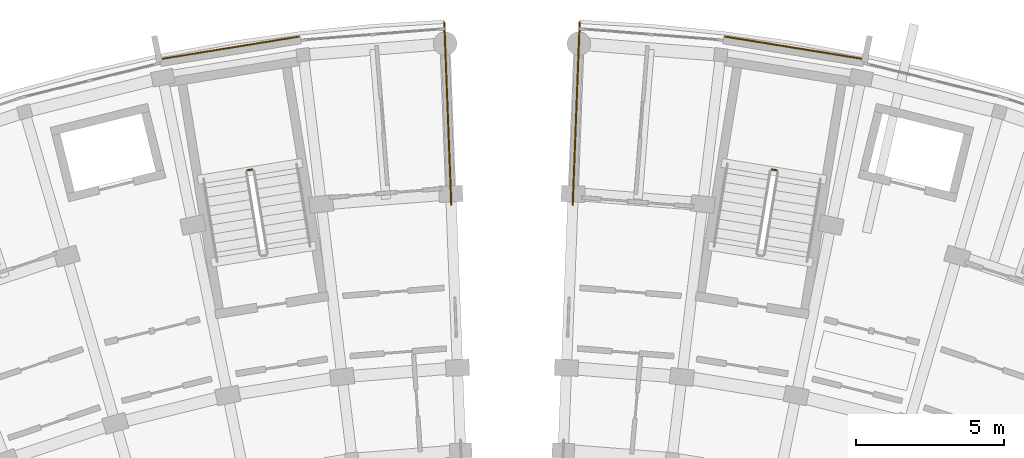
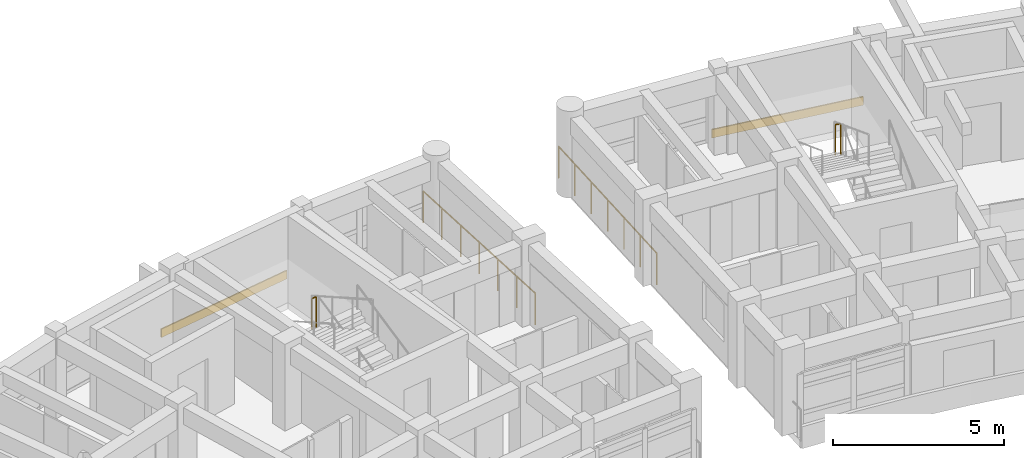
# One storey, part 46 of 56: 4 railings, 2 coverings.
"""IFC4 building model written with IfcOpenShell, lengths in metres."""

from ifc_helpers import new_model, si_unit, direction, frame, origin, origin_2d, place, context, subcontext, project, spatial, rectangle, circle, extrude, material, layer, layer_set, type_object, element, save


model = new_model("IFC4")

# Units and contexts
model_context = context("Model", 3, precision=1e-05, world=origin(), true_north=direction((0.0, 1.0)))
body_context = subcontext(model_context, "Body", "Model", "MODEL_VIEW")
ifc_project = project(units=[si_unit("LENGTHUNIT", "METRE"), si_unit("AREAUNIT", "SQUARE_METRE"), si_unit("VOLUMEUNIT", "CUBIC_METRE"), si_unit("PLANEANGLEUNIT", "RADIAN"), si_unit("MASSUNIT", "GRAM", prefix="KILO")], contexts=[model_context])

# Site, building, storey
site_placement = place(None, origin())
site = spatial("IfcSite", under=ifc_project, at=site_placement, CompositionType="ELEMENT")
building_placement = place(site_placement, origin())
building = spatial("IfcBuilding", under=site, at=building_placement, Name="Zimvara Arc Housing Community", CompositionType="ELEMENT")
storey_placement = place(building_placement, frame((0.0, 0.0, 17.39990234375)))
storey = spatial("IfcBuildingStorey", under=building, at=storey_placement, Name="L05", CompositionType="ELEMENT", Elevation=17.39990234375)

# Coverings
ifc_material_1 = material(Name="Pale-Gold Anodised Aluminium Cladding", Category="aluminium")
ifc_layer_1 = layer(ifc_material_1, 0.0400390625)
ifc_layer_set_1 = layer_set([ifc_layer_1], Name="Pale-Gold Anodised Aluminium Cladding")
covering_type_1 = type_object("IfcCoveringType", Name="CLD-GOLD-01", PredefinedType="CLADDING", material=ifc_layer_set_1)
covering_1_placement = place(storey_placement, frame((35.472412109375, 103.1953125, 0.01025390625), z_axis=(0.0, 0.0, 1.0), x_axis=(0.987080395872, 0.160225753504, 0.0)))
element("IfcCovering", 1, at=covering_1_placement, inside=storey, type_object=covering_type_1, Name="cld:blkA:L05:out:b8", PredefinedType="CLADDING", context=body_context, shape_type="SweptSolid", body=[
    extrude(rectangle(XDim=4.748779296875, YDim=0.0400390625, at=origin_2d()), origin(), (0.0, 0.0, 1.0), 0.300048828125),
])
ifc_material_2 = material(Name="Pale-Gold Anodised Aluminium Cladding", Category="aluminium")
ifc_layer_2 = layer(ifc_material_2, 0.044921875)
ifc_layer_set_2 = layer_set([ifc_layer_2], Name="Pale-Gold Anodised Aluminium Cladding")
covering_type_2 = type_object("IfcCoveringType", Name="CLD-GOLD-02", PredefinedType="CLADDING", material=ifc_layer_set_2)
covering_2_placement = place(storey_placement, frame((54.528076171875, 103.19775390625, 0.01025390625), z_axis=(0.0, 0.0, 1.0), x_axis=(0.987080395872, -0.160225753504, 0.0)))
element("IfcCovering", 2, at=covering_2_placement, inside=storey, type_object=covering_type_2, Name="cld:blkB:L05:out:b1", PredefinedType="CLADDING", context=body_context, shape_type="SweptSolid", body=[
    extrude(rectangle(XDim=4.748779296875, YDim=0.044921875, at=origin_2d()), origin(), (0.0, 0.0, 1.0), 0.300048828125),
])

# Railings
ifc_material_3 = material(Name="Anodised Aluminium AW-6063", Category="aluminium")
railing_type_1 = type_object("IfcRailingType", Name="RLG-BAL-1120", PredefinedType="BALUSTRADE", material=ifc_material_3)
railing_1_placement = place(storey_placement, frame((36.220947265625, 99.08349609375, 1.550048828125)))
element("IfcRailing", 3, at=railing_1_placement, inside=storey, type_object=railing_type_1, Name="L05 ST-A2 stair guard 2", PredefinedType="BALUSTRADE", context=body_context, shape_type="SweptSolid", body=[
    extrude(circle(Radius=0.02392578125, at=origin_2d()), frame((0.0, 0.0, 1.09619140625), z_axis=(-0.987085924886, -0.160191687964, 0.0), x_axis=(0.160191687964, -0.987085924886, 0.0)), (0.0, 0.0, 1.0), 0.159912109375),
    extrude(circle(Radius=0.02099609375, at=origin_2d()), origin(), (0.0, 0.0, 1.0), 1.072021484375),
    extrude(circle(Radius=0.02099609375, at=origin_2d()), frame((-0.157958984375, -0.025634765625, 0.0)), (0.0, 0.0, 1.0), 1.072021484375),
])
railing_2_placement = place(storey_placement, frame((53.93701171875, 99.057861328125, 1.550048828125)))
element("IfcRailing", 4, at=railing_2_placement, inside=storey, type_object=railing_type_1, Name="L05 ST-B1 stair guard 2", PredefinedType="BALUSTRADE", context=body_context, shape_type="SweptSolid", body=[
    extrude(circle(Radius=0.02392578125, at=origin_2d()), frame((0.0, 0.0, 1.09619140625), z_axis=(-0.987085924886, 0.160191687964, 0.0), x_axis=(-0.160191687964, -0.987085924886, 0.0)), (0.0, 0.0, 1.0), 0.159912109375),
    extrude(circle(Radius=0.02099609375, at=origin_2d()), origin(), (0.0, 0.0, 1.0), 1.072021484375),
    extrude(circle(Radius=0.02099609375, at=origin_2d()), frame((-0.157958984375, 0.025634765625, 0.0)), (0.0, 0.0, 1.0), 1.072021484375),
])
ifc_material_4 = material(Name="Anodised Aluminium AW-6063", Category="aluminium")
railing_type_2 = type_object("IfcRailingType", Name="RLG-BAL-1150", PredefinedType="BALUSTRADE", material=ifc_material_4)
railing_3_placement = place(storey_placement, frame((42.948486328125, 97.900634765625, 0.0)))
element("IfcRailing", 5, at=railing_3_placement, inside=storey, type_object=railing_type_2, Name="rlg:blkA:L05:gable_out:gN", PredefinedType="BALUSTRADE", context=body_context, shape_type="SweptSolid", body=[
    extrude(circle(Radius=0.02392578125, at=origin_2d()), frame((0.0, 0.0, 1.1259765625), z_axis=(-0.038364627964, 0.99926380667, 0.0), x_axis=(-0.99926380667, -0.038364627964, 0.0)), (0.0, 0.0, 1.0), 6.16015625),
    extrude(circle(Radius=0.02099609375, at=origin_2d()), origin(), (0.0, 0.0, 1.0), 1.101806640625),
    extrude(circle(Radius=0.02099609375, at=origin_2d()), frame((-0.039306640625, 1.02587890625, 0.0)), (0.0, 0.0, 1.0), 1.101806640625),
    extrude(circle(Radius=0.02099609375, at=origin_2d()), frame((-0.078857421875, 2.0517578125, 0.0)), (0.0, 0.0, 1.0), 1.101806640625),
    extrude(circle(Radius=0.02099609375, at=origin_2d()), frame((-0.1181640625, 3.07763671875, 0.0)), (0.0, 0.0, 1.0), 1.101806640625),
    extrude(circle(Radius=0.02099609375, at=origin_2d()), frame((-0.157470703125, 4.103759765625, 0.0)), (0.0, 0.0, 1.0), 1.101806640625),
    extrude(circle(Radius=0.02099609375, at=origin_2d()), frame((-0.197021484375, 5.129638671875, 0.0)), (0.0, 0.0, 1.0), 1.101806640625),
    extrude(circle(Radius=0.02099609375, at=origin_2d()), frame((-0.236328125, 6.155517578125, 0.0)), (0.0, 0.0, 1.0), 1.101806640625),
])
railing_4_placement = place(storey_placement, frame((47.051513671875, 97.900634765625, 0.0)))
element("IfcRailing", 6, at=railing_4_placement, inside=storey, type_object=railing_type_2, Name="rlg:blkB:L05:gable_out:g0", PredefinedType="BALUSTRADE", context=body_context, shape_type="SweptSolid", body=[
    extrude(circle(Radius=0.02392578125, at=origin_2d()), frame((0.0, 0.0, 1.1259765625), z_axis=(0.038364627964, 0.99926380667, 0.0), x_axis=(-0.99926380667, 0.038364627964, 0.0)), (0.0, 0.0, 1.0), 6.16015625),
    extrude(circle(Radius=0.02099609375, at=origin_2d()), origin(), (0.0, 0.0, 1.0), 1.101806640625),
    extrude(circle(Radius=0.02099609375, at=origin_2d()), frame((0.039306640625, 1.02587890625, 0.0)), (0.0, 0.0, 1.0), 1.101806640625),
    extrude(circle(Radius=0.02099609375, at=origin_2d()), frame((0.078857421875, 2.0517578125, 0.0)), (0.0, 0.0, 1.0), 1.101806640625),
    extrude(circle(Radius=0.02099609375, at=origin_2d()), frame((0.1181640625, 3.07763671875, 0.0)), (0.0, 0.0, 1.0), 1.101806640625),
    extrude(circle(Radius=0.02099609375, at=origin_2d()), frame((0.157470703125, 4.103759765625, 0.0)), (0.0, 0.0, 1.0), 1.101806640625),
    extrude(circle(Radius=0.02099609375, at=origin_2d()), frame((0.197021484375, 5.129638671875, 0.0)), (0.0, 0.0, 1.0), 1.101806640625),
    extrude(circle(Radius=0.02099609375, at=origin_2d()), frame((0.236328125, 6.155517578125, 0.0)), (0.0, 0.0, 1.0), 1.101806640625),
])

save(model, "model.ifc")
